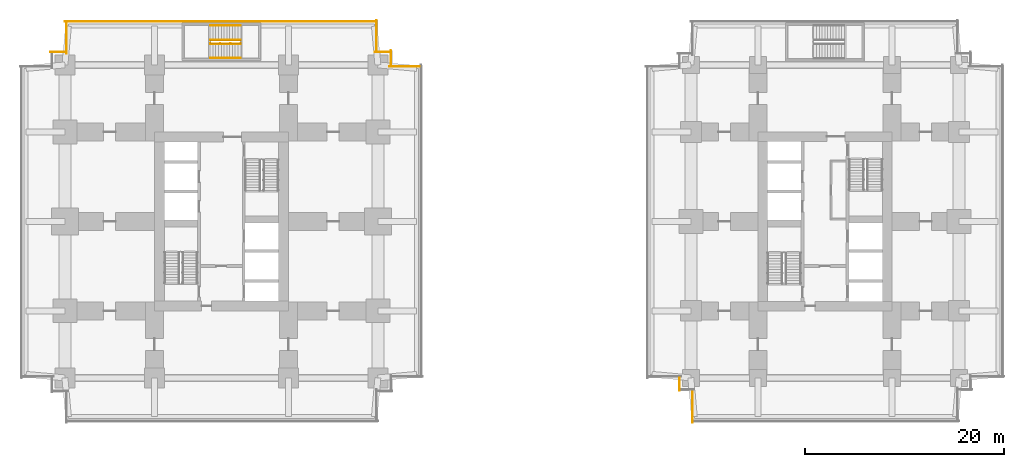
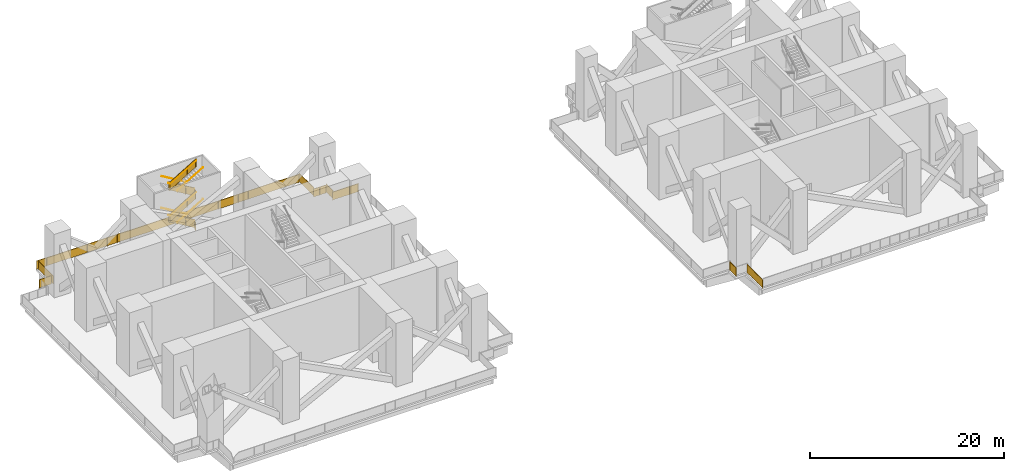
# One storey, part 9 of 12: 18 railings.
"""IFC4 building model written with IfcOpenShell, lengths in metres."""

from ifc_helpers import new_model, si_unit, direction, frame, origin, origin_2d, place, context, subcontext, project, spatial, polyline, circle, outline, extrude, material, type_object, element, save


model = new_model("IFC4")

# Units and contexts
model_context = context("Model", 3, precision=1e-05, world=origin(), true_north=direction((0.0, 1.0)))
body_context = subcontext(model_context, "Body", "Model", "MODEL_VIEW")
ifc_project = project(units=[si_unit("LENGTHUNIT", "METRE"), si_unit("AREAUNIT", "SQUARE_METRE"), si_unit("VOLUMEUNIT", "CUBIC_METRE"), si_unit("PLANEANGLEUNIT", "RADIAN"), si_unit("MASSUNIT", "GRAM", prefix="KILO")], contexts=[model_context])

# Site, building, storey
site_placement = place(None, origin())
site = spatial("IfcSite", under=ifc_project, at=site_placement, CompositionType="ELEMENT")
building_placement = place(site_placement, origin())
building = spatial("IfcBuilding", under=site, at=building_placement, Name="Namib Vertical Campus", CompositionType="ELEMENT")
storey_placement = place(building_placement, frame((0.0, 0.0, 77.0)))
storey = spatial("IfcBuildingStorey", under=building, at=storey_placement, Name="L18", CompositionType="ELEMENT", Elevation=77.0)

# Railings
ifc_material_1 = material(Name="Toughened glass balustrade", Category="glass")
railing_type_1 = type_object("IfcRailingType", Name="Edge guard 1100", PredefinedType="GUARDRAIL", material=ifc_material_1)
railing_1_placement = place(storey_placement, frame((40.199951171875, 35.85009765625, 0.0)))
element("IfcRailing", 1, at=railing_1_placement, inside=storey, type_object=railing_type_1, Name="Refuge edge guard GR2 A L18 7", PredefinedType="GUARDRAIL", context=body_context, shape_type="SweptSolid", body=[
    extrude(circle(Radius=0.02392578125, at=origin_2d()), frame((0.0, 0.0, 1.076171875), z_axis=(-1.0, 0.0, 0.0), x_axis=(0.0, -1.0, 0.0)), (0.0, 0.0, 1.0), 3.050048828125),
    extrude(outline(polyline([(0.02099609375, 0.050048828125), (3.029052734375, 0.050048828125), (3.029052734375, 1.052001953125), (0.02099609375, 1.052001953125), (0.02099609375, 0.050048828125)])), frame((0.0, -0.0107421875, 0.0), z_axis=(0.0, 1.0, 0.0), x_axis=(-1.0, 0.0, 0.0)), (0.0, 0.0, 1.0), 0.021484375),
    extrude(circle(Radius=0.02099609375, at=origin_2d()), origin(), (0.0, 0.0, 1.0), 1.052001953125),
    extrude(circle(Radius=0.02099609375, at=origin_2d()), frame((-1.0166015625, 0.0, 0.0)), (0.0, 0.0, 1.0), 1.052001953125),
    extrude(circle(Radius=0.02099609375, at=origin_2d()), frame((-2.033447265625, 0.0, 0.0)), (0.0, 0.0, 1.0), 1.052001953125),
    extrude(circle(Radius=0.02099609375, at=origin_2d()), frame((-3.050048828125, 0.0, 0.0)), (0.0, 0.0, 1.0), 1.052001953125),
])
railing_2_placement = place(storey_placement, frame((37.300048828125, 36.0, 0.0)))
element("IfcRailing", 2, at=railing_2_placement, inside=storey, type_object=railing_type_1, Name="Refuge edge guard GR2 A L18 8", PredefinedType="GUARDRAIL", context=body_context, shape_type="SweptSolid", body=[
    extrude(circle(Radius=0.02392578125, at=origin_2d()), frame((0.0, 0.0, 1.076171875), z_axis=(0.0, 1.0, 0.0), x_axis=(-1.0, 0.0, 0.0)), (0.0, 0.0, 1.0), 1.449951171875),
    extrude(outline(polyline([(0.02099609375, 0.050048828125), (1.428955078125, 0.050048828125), (1.428955078125, 1.052001953125), (0.02099609375, 1.052001953125), (0.02099609375, 0.050048828125)])), frame((-0.0107421875, 0.0, 0.0), z_axis=(1.0, 0.0, 0.0), x_axis=(0.0, 1.0, 0.0)), (0.0, 0.0, 1.0), 0.021484375),
    extrude(circle(Radius=0.02099609375, at=origin_2d()), origin(), (0.0, 0.0, 1.0), 1.052001953125),
    extrude(circle(Radius=0.02099609375, at=origin_2d()), frame((0.0, 0.72509765625, 0.0)), (0.0, 0.0, 1.0), 1.052001953125),
    extrude(circle(Radius=0.02099609375, at=origin_2d()), frame((0.0, 1.449951171875, 0.0)), (0.0, 0.0, 1.0), 1.052001953125),
])
railing_3_placement = place(storey_placement, frame((37.14990234375, 37.300048828125, 0.0)))
element("IfcRailing", 3, at=railing_3_placement, inside=storey, type_object=railing_type_1, Name="Refuge edge guard GR2 A L18 9", PredefinedType="GUARDRAIL", context=body_context, shape_type="SweptSolid", body=[
    extrude(circle(Radius=0.02392578125, at=origin_2d()), frame((0.0, 0.0, 1.076171875), z_axis=(-1.0, 0.0, 0.0), x_axis=(0.0, -1.0, 0.0)), (0.0, 0.0, 1.0), 1.449951171875),
    extrude(outline(polyline([(0.02099609375, 0.050048828125), (1.428955078125, 0.050048828125), (1.428955078125, 1.052001953125), (0.02099609375, 1.052001953125), (0.02099609375, 0.050048828125)])), frame((0.0, -0.0107421875, 0.0), z_axis=(0.0, 1.0, 0.0), x_axis=(-1.0, 0.0, 0.0)), (0.0, 0.0, 1.0), 0.021484375),
    extrude(circle(Radius=0.02099609375, at=origin_2d()), origin(), (0.0, 0.0, 1.0), 1.052001953125),
    extrude(circle(Radius=0.02099609375, at=origin_2d()), frame((-0.72509765625, 0.0, 0.0)), (0.0, 0.0, 1.0), 1.052001953125),
    extrude(circle(Radius=0.02099609375, at=origin_2d()), frame((-1.449951171875, 0.0, 0.0)), (0.0, 0.0, 1.0), 1.052001953125),
])
railing_4_placement = place(storey_placement, frame((35.85009765625, 37.449951171875, 0.0)))
element("IfcRailing", 4, at=railing_4_placement, inside=storey, type_object=railing_type_1, Name="Refuge edge guard GR2 A L18 10", PredefinedType="GUARDRAIL", context=body_context, shape_type="SweptSolid", body=[
    extrude(circle(Radius=0.02392578125, at=origin_2d()), frame((0.0, 0.0, 1.076171875), z_axis=(0.0, 1.0, 0.0), x_axis=(-1.0, 0.0, 0.0)), (0.0, 0.0, 1.0), 3.050048828125),
    extrude(outline(polyline([(0.02099609375, 0.050048828125), (3.029052734375, 0.050048828125), (3.029052734375, 1.052001953125), (0.02099609375, 1.052001953125), (0.02099609375, 0.050048828125)])), frame((-0.0107421875, 0.0, 0.0), z_axis=(1.0, 0.0, 0.0), x_axis=(0.0, 1.0, 0.0)), (0.0, 0.0, 1.0), 0.021484375),
    extrude(circle(Radius=0.02099609375, at=origin_2d()), origin(), (0.0, 0.0, 1.0), 1.052001953125),
    extrude(circle(Radius=0.02099609375, at=origin_2d()), frame((0.0, 1.0166015625, 0.0)), (0.0, 0.0, 1.0), 1.052001953125),
    extrude(circle(Radius=0.02099609375, at=origin_2d()), frame((0.0, 2.033447265625, 0.0)), (0.0, 0.0, 1.0), 1.052001953125),
    extrude(circle(Radius=0.02099609375, at=origin_2d()), frame((0.0, 3.050048828125, 0.0)), (0.0, 0.0, 1.0), 1.052001953125),
])
railing_5_placement = place(storey_placement, frame((35.699951171875, 40.35009765625, 0.0)))
element("IfcRailing", 5, at=railing_5_placement, inside=storey, type_object=railing_type_1, Name="Refuge edge guard GR2 A L18 11", PredefinedType="GUARDRAIL", context=body_context, shape_type="SweptSolid", body=[
    extrude(circle(Radius=0.02392578125, at=origin_2d()), frame((0.0, 0.0, 1.076171875), z_axis=(-1.0, 0.0, 0.0), x_axis=(0.0, -1.0, 0.0)), (0.0, 0.0, 1.0), 31.199951171875),
    extrude(outline(polyline([(0.02099609375, 0.050048828125), (31.178955078125, 0.050048828125), (31.178955078125, 1.052001953125), (0.02099609375, 1.052001953125), (0.02099609375, 0.050048828125)])), frame((0.0, -0.0107421875, 0.0), z_axis=(0.0, 1.0, 0.0), x_axis=(-1.0, 0.0, 0.0)), (0.0, 0.0, 1.0), 0.021484375),
    extrude(circle(Radius=0.02099609375, at=origin_2d()), origin(), (0.0, 0.0, 1.0), 1.052001953125),
    extrude(circle(Radius=0.02099609375, at=origin_2d()), frame((-1.199951171875, 0.0, 0.0)), (0.0, 0.0, 1.0), 1.052001953125),
    extrude(circle(Radius=0.02099609375, at=origin_2d()), frame((-2.39990234375, 0.0, 0.0)), (0.0, 0.0, 1.0), 1.052001953125),
    extrude(circle(Radius=0.02099609375, at=origin_2d()), frame((-3.60009765625, 0.0, 0.0)), (0.0, 0.0, 1.0), 1.052001953125),
    extrude(circle(Radius=0.02099609375, at=origin_2d()), frame((-4.800048828125, 0.0, 0.0)), (0.0, 0.0, 1.0), 1.052001953125),
    extrude(circle(Radius=0.02099609375, at=origin_2d()), frame((-6.0, 0.0, 0.0)), (0.0, 0.0, 1.0), 1.052001953125),
    extrude(circle(Radius=0.02099609375, at=origin_2d()), frame((-7.199951171875, 0.0, 0.0)), (0.0, 0.0, 1.0), 1.052001953125),
    extrude(circle(Radius=0.02099609375, at=origin_2d()), frame((-8.39990234375, 0.0, 0.0)), (0.0, 0.0, 1.0), 1.052001953125),
    extrude(circle(Radius=0.02099609375, at=origin_2d()), frame((-9.60009765625, 0.0, 0.0)), (0.0, 0.0, 1.0), 1.052001953125),
    extrude(circle(Radius=0.02099609375, at=origin_2d()), frame((-10.800048828125, 0.0, 0.0)), (0.0, 0.0, 1.0), 1.052001953125),
    extrude(circle(Radius=0.02099609375, at=origin_2d()), frame((-12.0, 0.0, 0.0)), (0.0, 0.0, 1.0), 1.052001953125),
    extrude(circle(Radius=0.02099609375, at=origin_2d()), frame((-13.199951171875, 0.0, 0.0)), (0.0, 0.0, 1.0), 1.052001953125),
    extrude(circle(Radius=0.02099609375, at=origin_2d()), frame((-14.39990234375, 0.0, 0.0)), (0.0, 0.0, 1.0), 1.052001953125),
    extrude(circle(Radius=0.02099609375, at=origin_2d()), frame((-15.60009765625, 0.0, 0.0)), (0.0, 0.0, 1.0), 1.052001953125),
    extrude(circle(Radius=0.02099609375, at=origin_2d()), frame((-16.800048828125, 0.0, 0.0)), (0.0, 0.0, 1.0), 1.052001953125),
    extrude(circle(Radius=0.02099609375, at=origin_2d()), frame((-18.0, 0.0, 0.0)), (0.0, 0.0, 1.0), 1.052001953125),
    extrude(circle(Radius=0.02099609375, at=origin_2d()), frame((-19.199951171875, 0.0, 0.0)), (0.0, 0.0, 1.0), 1.052001953125),
    extrude(circle(Radius=0.02099609375, at=origin_2d()), frame((-20.39990234375, 0.0, 0.0)), (0.0, 0.0, 1.0), 1.052001953125),
    extrude(circle(Radius=0.02099609375, at=origin_2d()), frame((-21.599853515625, 0.0, 0.0)), (0.0, 0.0, 1.0), 1.052001953125),
    extrude(circle(Radius=0.02099609375, at=origin_2d()), frame((-22.800048828125, 0.0, 0.0)), (0.0, 0.0, 1.0), 1.052001953125),
    extrude(circle(Radius=0.02099609375, at=origin_2d()), frame((-24.0, 0.0, 0.0)), (0.0, 0.0, 1.0), 1.052001953125),
    extrude(circle(Radius=0.02099609375, at=origin_2d()), frame((-25.199951171875, 0.0, 0.0)), (0.0, 0.0, 1.0), 1.052001953125),
    extrude(circle(Radius=0.02099609375, at=origin_2d()), frame((-26.39990234375, 0.0, 0.0)), (0.0, 0.0, 1.0), 1.052001953125),
    extrude(circle(Radius=0.02099609375, at=origin_2d()), frame((-27.599853515625, 0.0, 0.0)), (0.0, 0.0, 1.0), 1.052001953125),
    extrude(circle(Radius=0.02099609375, at=origin_2d()), frame((-28.800048828125, 0.0, 0.0)), (0.0, 0.0, 1.0), 1.052001953125),
    extrude(circle(Radius=0.02099609375, at=origin_2d()), frame((-30.0, 0.0, 0.0)), (0.0, 0.0, 1.0), 1.052001953125),
    extrude(circle(Radius=0.02099609375, at=origin_2d()), frame((-31.199951171875, 0.0, 0.0)), (0.0, 0.0, 1.0), 1.052001953125),
])
railing_6_placement = place(storey_placement, frame((4.64990234375, 40.199951171875, 0.0)))
element("IfcRailing", 6, at=railing_6_placement, inside=storey, type_object=railing_type_1, Name="Refuge edge guard GR2 A L18 12", PredefinedType="GUARDRAIL", context=body_context, shape_type="SweptSolid", body=[
    extrude(circle(Radius=0.02392578125, at=origin_2d()), frame((0.0, 0.0, 1.076171875), z_axis=(0.0, -1.0, 0.0), x_axis=(1.0, 0.0, 0.0)), (0.0, 0.0, 1.0), 3.050048828125),
    extrude(outline(polyline([(0.02099609375, 0.050048828125), (3.029052734375, 0.050048828125), (3.029052734375, 1.052001953125), (0.02099609375, 1.052001953125), (0.02099609375, 0.050048828125)])), frame((0.0107421875, 0.0, 0.0), z_axis=(-1.0, 0.0, 0.0), x_axis=(0.0, -1.0, 0.0)), (0.0, 0.0, 1.0), 0.021484375),
    extrude(circle(Radius=0.02099609375, at=origin_2d()), origin(), (0.0, 0.0, 1.0), 1.052001953125),
    extrude(circle(Radius=0.02099609375, at=origin_2d()), frame((0.0, -1.0166015625, 0.0)), (0.0, 0.0, 1.0), 1.052001953125),
    extrude(circle(Radius=0.02099609375, at=origin_2d()), frame((0.0, -2.033447265625, 0.0)), (0.0, 0.0, 1.0), 1.052001953125),
    extrude(circle(Radius=0.02099609375, at=origin_2d()), frame((0.0, -3.050048828125, 0.0)), (0.0, 0.0, 1.0), 1.052001953125),
])
railing_7_placement = place(storey_placement, frame((4.5, 37.300048828125, 0.0)))
element("IfcRailing", 7, at=railing_7_placement, inside=storey, type_object=railing_type_1, Name="Refuge edge guard GR2 A L18 13", PredefinedType="GUARDRAIL", context=body_context, shape_type="SweptSolid", body=[
    extrude(circle(Radius=0.02392578125, at=origin_2d()), frame((0.0, 0.0, 1.076171875), z_axis=(-1.0, 0.0, 0.0), x_axis=(0.0, -1.0, 0.0)), (0.0, 0.0, 1.0), 1.449951171875),
    extrude(outline(polyline([(0.02099609375, 0.050048828125), (1.428955078125, 0.050048828125), (1.428955078125, 1.052001953125), (0.02099609375, 1.052001953125), (0.02099609375, 0.050048828125)])), frame((0.0, -0.0107421875, 0.0), z_axis=(0.0, 1.0, 0.0), x_axis=(-1.0, 0.0, 0.0)), (0.0, 0.0, 1.0), 0.021484375),
    extrude(circle(Radius=0.02099609375, at=origin_2d()), origin(), (0.0, 0.0, 1.0), 1.052001953125),
    extrude(circle(Radius=0.02099609375, at=origin_2d()), frame((-0.72509765625, 0.0, 0.0)), (0.0, 0.0, 1.0), 1.052001953125),
    extrude(circle(Radius=0.02099609375, at=origin_2d()), frame((-1.449951171875, 0.0, 0.0)), (0.0, 0.0, 1.0), 1.052001953125),
])
railing_8_placement = place(storey_placement, frame((66.35009765625, 4.5, 0.0)))
element("IfcRailing", 8, at=railing_8_placement, inside=storey, type_object=railing_type_1, Name="Refuge edge guard GR2 B L18 18", PredefinedType="GUARDRAIL", context=body_context, shape_type="SweptSolid", body=[
    extrude(circle(Radius=0.02392578125, at=origin_2d()), frame((0.0, 0.0, 1.076171875), z_axis=(0.0, -1.0, 0.0), x_axis=(1.0, 0.0, 0.0)), (0.0, 0.0, 1.0), 1.300048828125),
    extrude(outline(polyline([(0.02099609375, 0.050048828125), (1.279052734375, 0.050048828125), (1.279052734375, 1.052001953125), (0.02099609375, 1.052001953125), (0.02099609375, 0.050048828125)])), frame((0.0107421875, 0.0, 0.0), z_axis=(-1.0, 0.0, 0.0), x_axis=(0.0, -1.0, 0.0)), (0.0, 0.0, 1.0), 0.021484375),
    extrude(circle(Radius=0.02099609375, at=origin_2d()), origin(), (0.0, 0.0, 1.0), 1.052001953125),
    extrude(circle(Radius=0.02099609375, at=origin_2d()), frame((0.0, -0.64990234375, 0.0)), (0.0, 0.0, 1.0), 1.052001953125),
    extrude(circle(Radius=0.02099609375, at=origin_2d()), frame((0.0, -1.300048828125, 0.0)), (0.0, 0.0, 1.0), 1.052001953125),
])
railing_9_placement = place(storey_placement, frame((67.64990234375, 3.199951171875, 0.0)))
element("IfcRailing", 9, at=railing_9_placement, inside=storey, type_object=railing_type_1, Name="Refuge edge guard GR2 B L18 20", PredefinedType="GUARDRAIL", context=body_context, shape_type="SweptSolid", body=[
    extrude(circle(Radius=0.02392578125, at=origin_2d()), frame((0.0, 0.0, 1.076171875), z_axis=(0.0, -1.0, 0.0), x_axis=(1.0, 0.0, 0.0)), (0.0, 0.0, 1.0), 3.199951171875),
    extrude(outline(polyline([(0.02099609375, 0.050048828125), (3.178955078125, 0.050048828125), (3.178955078125, 1.052001953125), (0.02099609375, 1.052001953125), (0.02099609375, 0.050048828125)])), frame((0.0107421875, 0.0, 0.0), z_axis=(-1.0, 0.0, 0.0), x_axis=(0.0, -1.0, 0.0)), (0.0, 0.0, 1.0), 0.021484375),
    extrude(circle(Radius=0.02099609375, at=origin_2d()), origin(), (0.0, 0.0, 1.0), 1.052001953125),
    extrude(circle(Radius=0.02099609375, at=origin_2d()), frame((0.0, -1.066650390625, 0.0)), (0.0, 0.0, 1.0), 1.052001953125),
    extrude(circle(Radius=0.02099609375, at=origin_2d()), frame((0.0, -2.13330078125, 0.0)), (0.0, 0.0, 1.0), 1.052001953125),
    extrude(circle(Radius=0.02099609375, at=origin_2d()), frame((0.0, -3.199951171875, 0.0)), (0.0, 0.0, 1.0), 1.052001953125),
])
ifc_material_2 = material(Name="Steel handrail", Category="steel")
railing_type_2 = type_object("IfcRailingType", Name="Handrail 900", PredefinedType="HANDRAIL", material=ifc_material_2)
railing_10_placement = place(storey_placement, frame((22.199951171875, 39.949951171875, 0.166748046875)))
element("IfcRailing", 10, at=railing_10_placement, inside=storey, type_object=railing_type_2, Name="Handrail HR1 A-S3 L18 1", PredefinedType="HANDRAIL", context=body_context, shape_type="SweptSolid", body=[
    extrude(circle(Radius=0.02392578125, at=origin_2d()), frame((0.0, 0.0, 0.8759765625), z_axis=(-0.859290745958, 0.0, 0.51148745235), x_axis=(0.0, -1.0, 0.0)), (0.0, 0.0, 1.0), 3.584228515625),
    extrude(circle(Radius=0.008056640625, at=origin_2d()), frame((0.0, 0.0, 0.8759765625), z_axis=(0.0, 1.0, 0.0), x_axis=(0.0, 0.0, 1.0)), (0.0, 0.0, 1.0), 0.050048828125),
    extrude(circle(Radius=0.008056640625, at=origin_2d()), frame((-1.026611328125, 0.0, 1.48681640625), z_axis=(0.0, 1.0, 0.0), x_axis=(0.0, 0.0, 1.0)), (0.0, 0.0, 1.0), 0.050048828125),
    extrude(circle(Radius=0.008056640625, at=origin_2d()), frame((-2.05322265625, 0.0, 2.09814453125), z_axis=(0.0, 1.0, 0.0), x_axis=(0.0, 0.0, 1.0)), (0.0, 0.0, 1.0), 0.050048828125),
    extrude(circle(Radius=0.008056640625, at=origin_2d()), frame((-3.079833984375, 0.0, 2.708984375), z_axis=(0.0, 1.0, 0.0), x_axis=(0.0, 0.0, 1.0)), (0.0, 0.0, 1.0), 0.050048828125),
])
railing_11_placement = place(storey_placement, frame((19.1201171875, 36.699951171875, 2.166748046875)))
element("IfcRailing", 11, at=railing_11_placement, inside=storey, type_object=railing_type_2, Name="Handrail HR1 A-S3 L18 2", PredefinedType="HANDRAIL", context=body_context, shape_type="SweptSolid", body=[
    extrude(circle(Radius=0.02392578125, at=origin_2d()), frame((0.0, 0.0, 0.8759765625), z_axis=(0.859290745958, 0.0, 0.51148745235), x_axis=(0.0, 1.0, 0.0)), (0.0, 0.0, 1.0), 3.584228515625),
    extrude(circle(Radius=0.008056640625, at=origin_2d()), frame((0.0, 0.0, 0.8759765625), z_axis=(0.0, -1.0, 0.0), x_axis=(0.0, 0.0, 1.0)), (0.0, 0.0, 1.0), 0.050048828125),
    extrude(circle(Radius=0.008056640625, at=origin_2d()), frame((1.026611328125, 0.0, 1.48681640625), z_axis=(0.0, -1.0, 0.0), x_axis=(0.0, 0.0, 1.0)), (0.0, 0.0, 1.0), 0.050048828125),
    extrude(circle(Radius=0.008056640625, at=origin_2d()), frame((2.05322265625, 0.0, 2.09814453125), z_axis=(0.0, -1.0, 0.0), x_axis=(0.0, 0.0, 1.0)), (0.0, 0.0, 1.0), 0.050048828125),
    extrude(circle(Radius=0.008056640625, at=origin_2d()), frame((3.079833984375, 0.0, 2.708984375), z_axis=(0.0, -1.0, 0.0), x_axis=(0.0, 0.0, 1.0)), (0.0, 0.0, 1.0), 0.050048828125),
])
railing_12_placement = place(storey_placement, frame((22.199951171875, 39.949951171875, 4.166748046875)))
element("IfcRailing", 12, at=railing_12_placement, inside=storey, type_object=railing_type_2, Name="Handrail HR1 A-S3 L18 3", PredefinedType="HANDRAIL", context=body_context, shape_type="SweptSolid", body=[
    extrude(circle(Radius=0.02392578125, at=origin_2d()), frame((0.0, 0.0, 0.8759765625), z_axis=(-0.859290745958, 0.0, 0.51148745235), x_axis=(0.0, -1.0, 0.0)), (0.0, 0.0, 1.0), 3.584228515625),
    extrude(circle(Radius=0.008056640625, at=origin_2d()), frame((0.0, 0.0, 0.8759765625), z_axis=(0.0, 1.0, 0.0), x_axis=(0.0, 0.0, 1.0)), (0.0, 0.0, 1.0), 0.050048828125),
    extrude(circle(Radius=0.008056640625, at=origin_2d()), frame((-1.026611328125, 0.0, 1.48681640625), z_axis=(0.0, 1.0, 0.0), x_axis=(0.0, 0.0, 1.0)), (0.0, 0.0, 1.0), 0.050048828125),
    extrude(circle(Radius=0.008056640625, at=origin_2d()), frame((-2.05322265625, 0.0, 2.09814453125), z_axis=(0.0, 1.0, 0.0), x_axis=(0.0, 0.0, 1.0)), (0.0, 0.0, 1.0), 0.050048828125),
    extrude(circle(Radius=0.008056640625, at=origin_2d()), frame((-3.079833984375, 0.0, 2.708984375), z_axis=(0.0, 1.0, 0.0), x_axis=(0.0, 0.0, 1.0)), (0.0, 0.0, 1.0), 0.050048828125),
])
railing_13_placement = place(storey_placement, frame((19.1201171875, 36.699951171875, 6.166748046875)))
element("IfcRailing", 13, at=railing_13_placement, inside=storey, type_object=railing_type_2, Name="Handrail HR1 A-S3 L18 4", PredefinedType="HANDRAIL", context=body_context, shape_type="SweptSolid", body=[
    extrude(circle(Radius=0.02392578125, at=origin_2d()), frame((0.0, 0.0, 0.8759765625), z_axis=(0.859290745958, 0.0, 0.51148745235), x_axis=(0.0, 1.0, 0.0)), (0.0, 0.0, 1.0), 3.584228515625),
    extrude(circle(Radius=0.008056640625, at=origin_2d()), frame((0.0, 0.0, 0.8759765625), z_axis=(0.0, -1.0, 0.0), x_axis=(0.0, 0.0, 1.0)), (0.0, 0.0, 1.0), 0.050048828125),
    extrude(circle(Radius=0.008056640625, at=origin_2d()), frame((1.026611328125, 0.0, 1.48681640625), z_axis=(0.0, -1.0, 0.0), x_axis=(0.0, 0.0, 1.0)), (0.0, 0.0, 1.0), 0.050048828125),
    extrude(circle(Radius=0.008056640625, at=origin_2d()), frame((2.05322265625, 0.0, 2.09814453125), z_axis=(0.0, -1.0, 0.0), x_axis=(0.0, 0.0, 1.0)), (0.0, 0.0, 1.0), 0.050048828125),
    extrude(circle(Radius=0.008056640625, at=origin_2d()), frame((3.079833984375, 0.0, 2.708984375), z_axis=(0.0, -1.0, 0.0), x_axis=(0.0, 0.0, 1.0)), (0.0, 0.0, 1.0), 0.050048828125),
])
railing_14_placement = place(storey_placement, frame((22.199951171875, 38.52490234375, 0.166748046875)))
element("IfcRailing", 14, at=railing_14_placement, inside=storey, type_object=railing_type_2, Name="Handrail HR1 A-S3 L18 1 at the well", PredefinedType="HANDRAIL", context=body_context, shape_type="SweptSolid", body=[
    extrude(circle(Radius=0.02392578125, at=origin_2d()), frame((0.0, 0.0, 0.8759765625), z_axis=(-0.859290745958, 0.0, 0.51148745235), x_axis=(0.0, -1.0, 0.0)), (0.0, 0.0, 1.0), 3.584228515625),
    extrude(circle(Radius=0.008056640625, at=origin_2d()), frame((0.0, 0.0, 0.8759765625), z_axis=(0.0, -1.0, 0.0), x_axis=(0.0, 0.0, 1.0)), (0.0, 0.0, 1.0), 0.0400390625),
    extrude(circle(Radius=0.008056640625, at=origin_2d()), frame((-1.026611328125, 0.0, 1.48681640625), z_axis=(0.0, -1.0, 0.0), x_axis=(0.0, 0.0, 1.0)), (0.0, 0.0, 1.0), 0.0400390625),
    extrude(circle(Radius=0.008056640625, at=origin_2d()), frame((-2.05322265625, 0.0, 2.09814453125), z_axis=(0.0, -1.0, 0.0), x_axis=(0.0, 0.0, 1.0)), (0.0, 0.0, 1.0), 0.0400390625),
    extrude(circle(Radius=0.008056640625, at=origin_2d()), frame((-3.079833984375, 0.0, 2.708984375), z_axis=(0.0, -1.0, 0.0), x_axis=(0.0, 0.0, 1.0)), (0.0, 0.0, 1.0), 0.0400390625),
])
railing_15_placement = place(storey_placement, frame((19.1201171875, 38.125, 2.166748046875)))
element("IfcRailing", 15, at=railing_15_placement, inside=storey, type_object=railing_type_2, Name="Handrail HR1 A-S3 L18 2 at the well", PredefinedType="HANDRAIL", context=body_context, shape_type="SweptSolid", body=[
    extrude(circle(Radius=0.02392578125, at=origin_2d()), frame((0.0, 0.0, 0.8759765625), z_axis=(0.859290745958, 0.0, 0.51148745235), x_axis=(0.0, 1.0, 0.0)), (0.0, 0.0, 1.0), 3.584228515625),
    extrude(circle(Radius=0.008056640625, at=origin_2d()), frame((0.0, 0.0, 0.8759765625), z_axis=(0.0, 1.0, 0.0), x_axis=(0.0, 0.0, 1.0)), (0.0, 0.0, 1.0), 0.0400390625),
    extrude(circle(Radius=0.008056640625, at=origin_2d()), frame((1.026611328125, 0.0, 1.48681640625), z_axis=(0.0, 1.0, 0.0), x_axis=(0.0, 0.0, 1.0)), (0.0, 0.0, 1.0), 0.0400390625),
    extrude(circle(Radius=0.008056640625, at=origin_2d()), frame((2.05322265625, 0.0, 2.09814453125), z_axis=(0.0, 1.0, 0.0), x_axis=(0.0, 0.0, 1.0)), (0.0, 0.0, 1.0), 0.0400390625),
    extrude(circle(Radius=0.008056640625, at=origin_2d()), frame((3.079833984375, 0.0, 2.708984375), z_axis=(0.0, 1.0, 0.0), x_axis=(0.0, 0.0, 1.0)), (0.0, 0.0, 1.0), 0.0400390625),
])
railing_16_placement = place(storey_placement, frame((22.199951171875, 38.52490234375, 4.166748046875)))
element("IfcRailing", 16, at=railing_16_placement, inside=storey, type_object=railing_type_2, Name="Handrail HR1 A-S3 L18 3 at the well", PredefinedType="HANDRAIL", context=body_context, shape_type="SweptSolid", body=[
    extrude(circle(Radius=0.02392578125, at=origin_2d()), frame((0.0, 0.0, 0.8759765625), z_axis=(-0.859290745958, 0.0, 0.51148745235), x_axis=(0.0, -1.0, 0.0)), (0.0, 0.0, 1.0), 3.584228515625),
    extrude(circle(Radius=0.008056640625, at=origin_2d()), frame((0.0, 0.0, 0.8759765625), z_axis=(0.0, -1.0, 0.0), x_axis=(0.0, 0.0, 1.0)), (0.0, 0.0, 1.0), 0.0400390625),
    extrude(circle(Radius=0.008056640625, at=origin_2d()), frame((-1.026611328125, 0.0, 1.48681640625), z_axis=(0.0, -1.0, 0.0), x_axis=(0.0, 0.0, 1.0)), (0.0, 0.0, 1.0), 0.0400390625),
    extrude(circle(Radius=0.008056640625, at=origin_2d()), frame((-2.05322265625, 0.0, 2.09814453125), z_axis=(0.0, -1.0, 0.0), x_axis=(0.0, 0.0, 1.0)), (0.0, 0.0, 1.0), 0.0400390625),
    extrude(circle(Radius=0.008056640625, at=origin_2d()), frame((-3.079833984375, 0.0, 2.708984375), z_axis=(0.0, -1.0, 0.0), x_axis=(0.0, 0.0, 1.0)), (0.0, 0.0, 1.0), 0.0400390625),
])
railing_17_placement = place(storey_placement, frame((19.1201171875, 38.125, 6.166748046875)))
element("IfcRailing", 17, at=railing_17_placement, inside=storey, type_object=railing_type_2, Name="Handrail HR1 A-S3 L18 4 at the well", PredefinedType="HANDRAIL", context=body_context, shape_type="SweptSolid", body=[
    extrude(circle(Radius=0.02392578125, at=origin_2d()), frame((0.0, 0.0, 0.8759765625), z_axis=(0.859290745958, 0.0, 0.51148745235), x_axis=(0.0, 1.0, 0.0)), (0.0, 0.0, 1.0), 3.584228515625),
    extrude(circle(Radius=0.008056640625, at=origin_2d()), frame((0.0, 0.0, 0.8759765625), z_axis=(0.0, 1.0, 0.0), x_axis=(0.0, 0.0, 1.0)), (0.0, 0.0, 1.0), 0.0400390625),
    extrude(circle(Radius=0.008056640625, at=origin_2d()), frame((1.026611328125, 0.0, 1.48681640625), z_axis=(0.0, 1.0, 0.0), x_axis=(0.0, 0.0, 1.0)), (0.0, 0.0, 1.0), 0.0400390625),
    extrude(circle(Radius=0.008056640625, at=origin_2d()), frame((2.05322265625, 0.0, 2.09814453125), z_axis=(0.0, 1.0, 0.0), x_axis=(0.0, 0.0, 1.0)), (0.0, 0.0, 1.0), 0.0400390625),
    extrude(circle(Radius=0.008056640625, at=origin_2d()), frame((3.079833984375, 0.0, 2.708984375), z_axis=(0.0, 1.0, 0.0), x_axis=(0.0, 0.0, 1.0)), (0.0, 0.0, 1.0), 0.0400390625),
])
ifc_material_3 = material(Name="Steel balustrade", Category="steel")
railing_type_3 = type_object("IfcRailingType", Name="Stair guard 1100", PredefinedType="GUARDRAIL", material=ifc_material_3)
railing_18_placement = place(storey_placement, frame((22.199951171875, 38.175048828125, 0.0)))
element("IfcRailing", 18, at=railing_18_placement, inside=storey, type_object=railing_type_3, Name="Stair guard GR1 A-S3 L18", PredefinedType="GUARDRAIL", context=body_context, shape_type="SweptSolid", body=[
    extrude(circle(Radius=0.02392578125, at=origin_2d()), frame((0.0, 0.0, 1.076171875), z_axis=(0.0, 1.0, 0.0), x_axis=(-1.0, 0.0, 0.0)), (0.0, 0.0, 1.0), 0.300048828125),
    extrude(outline(polyline([(0.02099609375, 0.050048828125), (0.279052734375, 0.050048828125), (0.279052734375, 1.052001953125), (0.02099609375, 1.052001953125), (0.02099609375, 0.050048828125)])), frame((-0.010009765625, 0.0, 0.0), z_axis=(1.0, 0.0, 0.0), x_axis=(0.0, 1.0, 0.0)), (0.0, 0.0, 1.0), 0.02001953125),
    extrude(circle(Radius=0.02392578125, at=origin_2d()), frame((0.0, 0.300048828125, 1.076171875), z_axis=(0.0, 0.0, 1.0), x_axis=(1.0, 0.0, 0.0)), (0.0, 0.0, 1.0), 0.166748046875),
    extrude(circle(Radius=0.02392578125, at=origin_2d()), frame((0.0, 0.300048828125, 1.24267578125), z_axis=(-0.859290745958, 0.0, 0.51148745235), x_axis=(0.0, -1.0, 0.0)), (0.0, 0.0, 1.0), 3.584228515625),
    extrude(outline(polyline([(0.02099609375, 0.0625), (3.058837890625, 1.870849609375), (3.058837890625, 2.872802734375), (0.02099609375, 1.064453125), (0.02099609375, 0.0625)])), frame((0.0, 0.2900390625, 0.166748046875), z_axis=(0.0, 1.0, 0.0), x_axis=(-1.0, 0.0, 0.0)), (0.0, 0.0, 1.0), 0.02001953125),
    extrude(circle(Radius=0.02392578125, at=origin_2d()), frame((-3.079833984375, 0.300048828125, 3.076171875), z_axis=(0.0, -1.0, 0.0), x_axis=(1.0, 0.0, 0.0)), (0.0, 0.0, 1.0), 0.300048828125),
    extrude(outline(polyline([(0.02099609375, 0.050048828125), (0.279052734375, 0.050048828125), (0.279052734375, 1.052001953125), (0.02099609375, 1.052001953125), (0.02099609375, 0.050048828125)])), frame((-3.06982421875, 0.300048828125, 2.0), z_axis=(-1.0, 0.0, 0.0), x_axis=(0.0, -1.0, 0.0)), (0.0, 0.0, 1.0), 0.02001953125),
    extrude(circle(Radius=0.02392578125, at=origin_2d()), frame((-3.079833984375, 0.0, 3.076171875), z_axis=(0.0, 0.0, 1.0), x_axis=(1.0, 0.0, 0.0)), (0.0, 0.0, 1.0), 0.166748046875),
    extrude(circle(Radius=0.02392578125, at=origin_2d()), frame((-3.079833984375, 0.0, 3.24267578125), z_axis=(0.859290745958, 0.0, 0.51148745235), x_axis=(0.0, 1.0, 0.0)), (0.0, 0.0, 1.0), 3.584228515625),
    extrude(outline(polyline([(0.02099609375, 0.0625), (3.058837890625, 1.870849609375), (3.058837890625, 2.872802734375), (0.02099609375, 1.064453125), (0.02099609375, 0.0625)])), frame((-3.079833984375, 0.010009765625, 2.166748046875), z_axis=(0.0, -1.0, 0.0), x_axis=(1.0, 0.0, 0.0)), (0.0, 0.0, 1.0), 0.02001953125),
    extrude(circle(Radius=0.02392578125, at=origin_2d()), frame((0.0, 0.0, 5.076171875), z_axis=(0.0, 1.0, 0.0), x_axis=(-1.0, 0.0, 0.0)), (0.0, 0.0, 1.0), 0.300048828125),
    extrude(outline(polyline([(0.02099609375, 0.050048828125), (0.279052734375, 0.050048828125), (0.279052734375, 1.052001953125), (0.02099609375, 1.052001953125), (0.02099609375, 0.050048828125)])), frame((-0.010009765625, 0.0, 4.0), z_axis=(1.0, 0.0, 0.0), x_axis=(0.0, 1.0, 0.0)), (0.0, 0.0, 1.0), 0.02001953125),
    extrude(circle(Radius=0.02392578125, at=origin_2d()), frame((0.0, 0.300048828125, 5.076171875), z_axis=(0.0, 0.0, 1.0), x_axis=(1.0, 0.0, 0.0)), (0.0, 0.0, 1.0), 0.166748046875),
    extrude(circle(Radius=0.02392578125, at=origin_2d()), frame((0.0, 0.300048828125, 5.24267578125), z_axis=(-0.859290745958, 0.0, 0.51148745235), x_axis=(0.0, -1.0, 0.0)), (0.0, 0.0, 1.0), 3.584228515625),
    extrude(outline(polyline([(0.02099609375, 0.0625), (3.058837890625, 1.870849609375), (3.058837890625, 2.872802734375), (0.02099609375, 1.064453125), (0.02099609375, 0.0625)])), frame((0.0, 0.2900390625, 4.166748046875), z_axis=(0.0, 1.0, 0.0), x_axis=(-1.0, 0.0, 0.0)), (0.0, 0.0, 1.0), 0.02001953125),
    extrude(circle(Radius=0.02392578125, at=origin_2d()), frame((-3.079833984375, 0.300048828125, 7.076171875), z_axis=(0.0, -1.0, 0.0), x_axis=(1.0, 0.0, 0.0)), (0.0, 0.0, 1.0), 0.300048828125),
    extrude(outline(polyline([(0.02099609375, 0.050048828125), (0.279052734375, 0.050048828125), (0.279052734375, 1.052001953125), (0.02099609375, 1.052001953125), (0.02099609375, 0.050048828125)])), frame((-3.06982421875, 0.300048828125, 6.0), z_axis=(-1.0, 0.0, 0.0), x_axis=(0.0, -1.0, 0.0)), (0.0, 0.0, 1.0), 0.02001953125),
    extrude(circle(Radius=0.02392578125, at=origin_2d()), frame((-3.079833984375, 0.0, 7.076171875), z_axis=(0.0, 0.0, 1.0), x_axis=(1.0, 0.0, 0.0)), (0.0, 0.0, 1.0), 0.166748046875),
    extrude(circle(Radius=0.02392578125, at=origin_2d()), frame((-3.079833984375, 0.0, 7.24267578125), z_axis=(0.859290745958, 0.0, 0.51148745235), x_axis=(0.0, 1.0, 0.0)), (0.0, 0.0, 1.0), 3.584228515625),
    extrude(outline(polyline([(0.02099609375, 0.0625), (3.058837890625, 1.870849609375), (3.058837890625, 2.872802734375), (0.02099609375, 1.064453125), (0.02099609375, 0.0625)])), frame((-3.079833984375, 0.010009765625, 6.166748046875), z_axis=(0.0, -1.0, 0.0), x_axis=(1.0, 0.0, 0.0)), (0.0, 0.0, 1.0), 0.02001953125),
    extrude(circle(Radius=0.02392578125, at=origin_2d()), frame((0.0, 0.0, 9.076171875), z_axis=(1.0, 0.0, 0.0), x_axis=(0.0, 1.0, 0.0)), (0.0, 0.0, 1.0), 0.050048828125),
    extrude(outline(polyline([(0.02099609375, 0.050048828125), (0.029052734375, 0.050048828125), (0.029052734375, 1.052001953125), (0.02099609375, 1.052001953125), (0.02099609375, 0.050048828125)])), frame((0.0, 0.010009765625, 8.0), z_axis=(0.0, -1.0, 0.0), x_axis=(1.0, 0.0, 0.0)), (0.0, 0.0, 1.0), 0.02001953125),
    extrude(circle(Radius=0.02099609375, at=origin_2d()), origin(), (0.0, 0.0, 1.0), 1.052001953125),
    extrude(circle(Radius=0.02099609375, at=origin_2d()), frame((0.0, 0.300048828125, 0.166748046875)), (0.0, 0.0, 1.0), 1.052001953125),
    extrude(circle(Radius=0.02099609375, at=origin_2d()), frame((-1.026611328125, 0.300048828125, 0.666748046875)), (0.0, 0.0, 1.0), 1.1630859375),
    extrude(circle(Radius=0.02099609375, at=origin_2d()), frame((-2.05322265625, 0.300048828125, 1.33349609375)), (0.0, 0.0, 1.0), 1.107421875),
    extrude(circle(Radius=0.02099609375, at=origin_2d()), frame((-3.079833984375, 0.300048828125, 2.0)), (0.0, 0.0, 1.0), 1.052001953125),
    extrude(circle(Radius=0.02099609375, at=origin_2d()), frame((-3.079833984375, 0.0, 2.166748046875)), (0.0, 0.0, 1.0), 1.052001953125),
    extrude(circle(Radius=0.02099609375, at=origin_2d()), frame((-2.05322265625, 0.0, 2.666748046875)), (0.0, 0.0, 1.0), 1.1630859375),
    extrude(circle(Radius=0.02099609375, at=origin_2d()), frame((-1.026611328125, 0.0, 3.33349609375)), (0.0, 0.0, 1.0), 1.107421875),
    extrude(circle(Radius=0.02099609375, at=origin_2d()), frame((0.0, 0.0, 4.0)), (0.0, 0.0, 1.0), 1.052001953125),
    extrude(circle(Radius=0.02099609375, at=origin_2d()), frame((0.0, 0.300048828125, 4.166748046875)), (0.0, 0.0, 1.0), 1.052001953125),
    extrude(circle(Radius=0.02099609375, at=origin_2d()), frame((-1.026611328125, 0.300048828125, 4.666748046875)), (0.0, 0.0, 1.0), 1.1630859375),
    extrude(circle(Radius=0.02099609375, at=origin_2d()), frame((-2.05322265625, 0.300048828125, 5.33349609375)), (0.0, 0.0, 1.0), 1.107421875),
    extrude(circle(Radius=0.02099609375, at=origin_2d()), frame((-3.079833984375, 0.300048828125, 6.0)), (0.0, 0.0, 1.0), 1.052001953125),
    extrude(circle(Radius=0.02099609375, at=origin_2d()), frame((-3.079833984375, 0.0, 6.166748046875)), (0.0, 0.0, 1.0), 1.052001953125),
    extrude(circle(Radius=0.02099609375, at=origin_2d()), frame((-2.05322265625, 0.0, 6.666748046875)), (0.0, 0.0, 1.0), 1.1630859375),
    extrude(circle(Radius=0.02099609375, at=origin_2d()), frame((-1.026611328125, 0.0, 7.33349609375)), (0.0, 0.0, 1.0), 1.107421875),
    extrude(circle(Radius=0.02099609375, at=origin_2d()), frame((0.0, 0.0, 8.0)), (0.0, 0.0, 1.0), 1.052001953125),
    extrude(circle(Radius=0.02099609375, at=origin_2d()), frame((0.050048828125, 0.0, 8.0)), (0.0, 0.0, 1.0), 1.052001953125),
])

save(model, "model.ifc")
